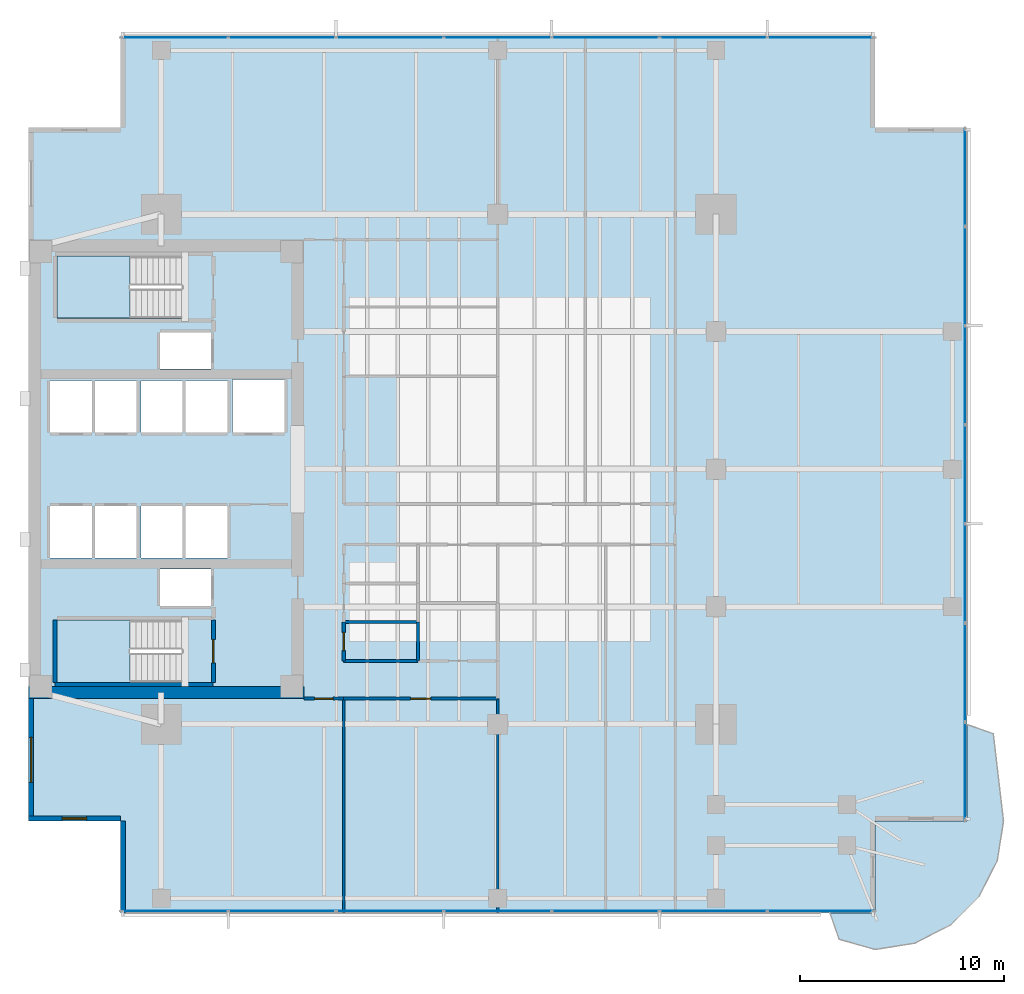
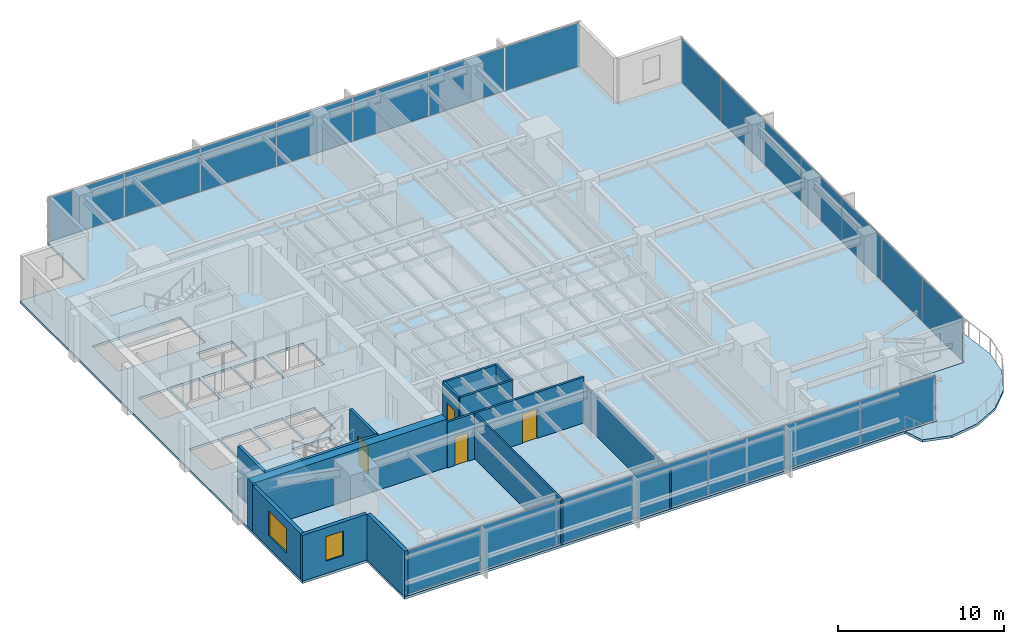
# One storey, part 7 of 14: 21 plates, 15 walls, 4 doors, 4 slabs, 2 windows, 6 openings, 5 elements without a shape of their own.
"""IFC4 building model written with IfcOpenShell, lengths in metres."""

from ifc_helpers import new_model, si_unit, direction, frame, frame_2d, origin, origin_2d, place, context, subcontext, project, spatial, polyline, rectangle, outline, extrude, material, layer, layer_set, type_object, element, fill, aggregate, save


model = new_model("IFC4")

# Units and contexts
model_context = context("Model", 3, precision=1e-05, world=origin(), true_north=direction((0.0, 1.0)))
body_context = subcontext(model_context, "Body", "Model", "MODEL_VIEW")
ifc_project = project(units=[si_unit("LENGTHUNIT", "METRE"), si_unit("AREAUNIT", "SQUARE_METRE"), si_unit("VOLUMEUNIT", "CUBIC_METRE"), si_unit("PLANEANGLEUNIT", "RADIAN"), si_unit("MASSUNIT", "GRAM", prefix="KILO")], contexts=[model_context])

# Site, building, storey
site_placement = place(None, origin())
site = spatial("IfcSite", under=ifc_project, at=site_placement, CompositionType="ELEMENT")
building_placement = place(site_placement, origin())
building = spatial("IfcBuilding", under=site, at=building_placement, Name="Kinhvarn Gate Tower", CompositionType="ELEMENT")
storey_placement = place(building_placement, frame((0.0, 0.0, 130.64990234375)))
storey = spatial("IfcBuildingStorey", under=building, at=storey_placement, Name="L34", CompositionType="ELEMENT", Elevation=130.64990234375)

# Curtain wall, plates
ifc_material_1 = material(Name="Anodised aluminium AW-6063", Category="aluminium")
ifc_layer_1 = layer(ifc_material_1, 0.179931640625)
ifc_layer_set_1 = layer_set([ifc_layer_1], Name="Anodised aluminium AW-6063")
curtain_wall_type = type_object("IfcCurtainWallType", Name="CW-SYS-3", PredefinedType="NOTDEFINED", material=ifc_layer_set_1)
curtain_wall_1_placement = place(storey_placement, origin())
curtain_wall_1 = element("IfcCurtainWall", 1, at=curtain_wall_1_placement, inside=storey, type_object=curtain_wall_type, Name="Curtain Wall CW3 (L34)", PredefinedType="NOTDEFINED")
ifc_material_2 = material(Name="Clear low-e double glazing", Category="glass")
ifc_layer_2 = layer(ifc_material_2, 0.031982421875)
ifc_layer_set_2 = layer_set([ifc_layer_2], Name="Clear low-e double glazing")
plate_type = type_object("IfcPlateType", Name="CW-PNL-VIS", PredefinedType="CURTAIN_PANEL", material=ifc_layer_set_2)
plate_1_placement = place(storey_placement, frame((11.6591796875, 3.590087890625, 0.070068359375), z_axis=(0.0, 0.0, 1.0), x_axis=(1.0, 0.0, 0.0)))
plate_1 = element("IfcPlate", 2, at=plate_1_placement, type_object=plate_type, Name="CW3 panel 1.1", PredefinedType="CURTAIN_PANEL", context=body_context, shape_type="SweptSolid", body=[
    extrude(rectangle(XDim=5.188232421875, YDim=0.031982421875, at=origin_2d()), origin(), (0.0, 0.0, 1.0), 3.22998046875),
])
plate_2_placement = place(storey_placement, frame((16.928466796875, 3.590087890625, 0.070068359375), z_axis=(0.0, 0.0, 1.0), x_axis=(1.0, 0.0, 0.0)))
plate_2 = element("IfcPlate", 3, at=plate_2_placement, type_object=plate_type, Name="CW3 panel 2.1", PredefinedType="CURTAIN_PANEL", context=body_context, shape_type="SweptSolid", body=[
    extrude(rectangle(XDim=5.220703125, YDim=0.031982421875, at=origin_2d()), origin(), (0.0, 0.0, 1.0), 3.22998046875),
])
plate_3_placement = place(storey_placement, frame((22.21435546875, 3.590087890625, 0.070068359375), z_axis=(0.0, 0.0, 1.0), x_axis=(1.0, 0.0, 0.0)))
plate_3 = element("IfcPlate", 4, at=plate_3_placement, type_object=plate_type, Name="CW3 panel 3.1", PredefinedType="CURTAIN_PANEL", context=body_context, shape_type="SweptSolid", body=[
    extrude(rectangle(XDim=5.220703125, YDim=0.031982421875, at=origin_2d()), origin(), (0.0, 0.0, 1.0), 3.22998046875),
])
plate_4_placement = place(storey_placement, frame((27.5, 3.590087890625, 0.070068359375), z_axis=(0.0, 0.0, 1.0), x_axis=(1.0, 0.0, 0.0)))
plate_4 = element("IfcPlate", 5, at=plate_4_placement, type_object=plate_type, Name="CW3 panel 4.1", PredefinedType="CURTAIN_PANEL", context=body_context, shape_type="SweptSolid", body=[
    extrude(rectangle(XDim=5.220703125, YDim=0.031982421875, at=origin_2d()), origin(), (0.0, 0.0, 1.0), 3.22998046875),
])
plate_5_placement = place(storey_placement, frame((32.78564453125, 3.590087890625, 0.070068359375), z_axis=(0.0, 0.0, 1.0), x_axis=(1.0, 0.0, 0.0)))
plate_5 = element("IfcPlate", 6, at=plate_5_placement, type_object=plate_type, Name="CW3 panel 5.1", PredefinedType="CURTAIN_PANEL", context=body_context, shape_type="SweptSolid", body=[
    extrude(rectangle(XDim=5.220703125, YDim=0.031982421875, at=origin_2d()), origin(), (0.0, 0.0, 1.0), 3.22998046875),
])
plate_6_placement = place(storey_placement, frame((38.071533203125, 3.590087890625, 0.070068359375), z_axis=(0.0, 0.0, 1.0), x_axis=(1.0, 0.0, 0.0)))
plate_6 = element("IfcPlate", 7, at=plate_6_placement, type_object=plate_type, Name="CW3 panel 6.1", PredefinedType="CURTAIN_PANEL", context=body_context, shape_type="SweptSolid", body=[
    extrude(rectangle(XDim=5.220703125, YDim=0.031982421875, at=origin_2d()), origin(), (0.0, 0.0, 1.0), 3.22998046875),
])
plate_7_placement = place(storey_placement, frame((43.3408203125, 3.590087890625, 0.070068359375), z_axis=(0.0, 0.0, 1.0), x_axis=(1.0, 0.0, 0.0)))
plate_7 = element("IfcPlate", 8, at=plate_7_placement, type_object=plate_type, Name="CW3 panel 7.1", PredefinedType="CURTAIN_PANEL", context=body_context, shape_type="SweptSolid", body=[
    extrude(rectangle(XDim=5.188232421875, YDim=0.031982421875, at=origin_2d()), origin(), (0.0, 0.0, 1.0), 3.22998046875),
])
aggregate(curtain_wall_1, [plate_1, plate_2, plate_3, plate_4, plate_5, plate_6, plate_7])

curtain_wall_2_placement = place(storey_placement, origin())
curtain_wall_2 = element("IfcCurtainWall", 9, at=curtain_wall_2_placement, inside=storey, type_object=curtain_wall_type, Name="Curtain Wall CW3 (L34)", PredefinedType="NOTDEFINED")
plate_8_placement = place(storey_placement, frame((43.3408203125, 46.409912109375, 0.070068359375), z_axis=(0.0, 0.0, 1.0), x_axis=(-1.0, 0.0, 0.0)))
plate_8 = element("IfcPlate", 10, at=plate_8_placement, type_object=plate_type, Name="CW3 panel 1.1", PredefinedType="CURTAIN_PANEL", context=body_context, shape_type="SweptSolid", body=[
    extrude(rectangle(XDim=5.188232421875, YDim=0.031982421875, at=origin_2d()), origin(), (0.0, 0.0, 1.0), 3.22998046875),
])
plate_9_placement = place(storey_placement, frame((38.071533203125, 46.409912109375, 0.070068359375), z_axis=(0.0, 0.0, 1.0), x_axis=(-1.0, 0.0, 0.0)))
plate_9 = element("IfcPlate", 11, at=plate_9_placement, type_object=plate_type, Name="CW3 panel 2.1", PredefinedType="CURTAIN_PANEL", context=body_context, shape_type="SweptSolid", body=[
    extrude(rectangle(XDim=5.220703125, YDim=0.031982421875, at=origin_2d()), origin(), (0.0, 0.0, 1.0), 3.22998046875),
])
plate_10_placement = place(storey_placement, frame((32.78564453125, 46.409912109375, 0.070068359375), z_axis=(0.0, 0.0, 1.0), x_axis=(-1.0, 0.0, 0.0)))
plate_10 = element("IfcPlate", 12, at=plate_10_placement, type_object=plate_type, Name="CW3 panel 3.1", PredefinedType="CURTAIN_PANEL", context=body_context, shape_type="SweptSolid", body=[
    extrude(rectangle(XDim=5.220703125, YDim=0.031982421875, at=origin_2d()), origin(), (0.0, 0.0, 1.0), 3.22998046875),
])
plate_11_placement = place(storey_placement, frame((27.5, 46.409912109375, 0.070068359375), z_axis=(0.0, 0.0, 1.0), x_axis=(-1.0, 0.0, 0.0)))
plate_11 = element("IfcPlate", 13, at=plate_11_placement, type_object=plate_type, Name="CW3 panel 4.1", PredefinedType="CURTAIN_PANEL", context=body_context, shape_type="SweptSolid", body=[
    extrude(rectangle(XDim=5.220703125, YDim=0.031982421875, at=origin_2d()), origin(), (0.0, 0.0, 1.0), 3.22998046875),
])
plate_12_placement = place(storey_placement, frame((22.21435546875, 46.409912109375, 0.070068359375), z_axis=(0.0, 0.0, 1.0), x_axis=(-1.0, 0.0, 0.0)))
plate_12 = element("IfcPlate", 14, at=plate_12_placement, type_object=plate_type, Name="CW3 panel 5.1", PredefinedType="CURTAIN_PANEL", context=body_context, shape_type="SweptSolid", body=[
    extrude(rectangle(XDim=5.220703125, YDim=0.031982421875, at=origin_2d()), origin(), (0.0, 0.0, 1.0), 3.22998046875),
])
plate_13_placement = place(storey_placement, frame((16.928466796875, 46.409912109375, 0.070068359375), z_axis=(0.0, 0.0, 1.0), x_axis=(-1.0, 0.0, 0.0)))
plate_13 = element("IfcPlate", 15, at=plate_13_placement, type_object=plate_type, Name="CW3 panel 6.1", PredefinedType="CURTAIN_PANEL", context=body_context, shape_type="SweptSolid", body=[
    extrude(rectangle(XDim=5.220703125, YDim=0.031982421875, at=origin_2d()), origin(), (0.0, 0.0, 1.0), 3.22998046875),
])
plate_14_placement = place(storey_placement, frame((11.6591796875, 46.409912109375, 0.070068359375), z_axis=(0.0, 0.0, 1.0), x_axis=(-1.0, 0.0, 0.0)))
plate_14 = element("IfcPlate", 16, at=plate_14_placement, type_object=plate_type, Name="CW3 panel 7.1", PredefinedType="CURTAIN_PANEL", context=body_context, shape_type="SweptSolid", body=[
    extrude(rectangle(XDim=5.188232421875, YDim=0.031982421875, at=origin_2d()), origin(), (0.0, 0.0, 1.0), 3.22998046875),
])
aggregate(curtain_wall_2, [plate_8, plate_9, plate_10, plate_11, plate_12, plate_13, plate_14])

curtain_wall_3_placement = place(storey_placement, origin())
curtain_wall_3 = element("IfcCurtainWall", 17, at=curtain_wall_3_placement, inside=storey, type_object=curtain_wall_type, Name="Curtain Wall CW3 (L34)", PredefinedType="NOTDEFINED")
plate_15_placement = place(storey_placement, frame((50.409912109375, 10.44482421875, 0.070068359375), z_axis=(0.0, 0.0, 1.0), x_axis=(0.0, 1.0, 0.0)))
plate_15 = element("IfcPlate", 18, at=plate_15_placement, type_object=plate_type, Name="CW3 panel 1.1", PredefinedType="CURTAIN_PANEL", context=body_context, shape_type="SweptSolid", body=[
    extrude(rectangle(XDim=4.759521484375, YDim=0.031982421875, at=origin_2d()), origin(), (0.0, 0.0, 1.0), 3.22998046875),
])
plate_16_placement = place(storey_placement, frame((50.409912109375, 15.28564453125, 0.070068359375), z_axis=(0.0, 0.0, 1.0), x_axis=(0.0, 1.0, 0.0)))
plate_16 = element("IfcPlate", 19, at=plate_16_placement, type_object=plate_type, Name="CW3 panel 2.1", PredefinedType="CURTAIN_PANEL", context=body_context, shape_type="SweptSolid", body=[
    extrude(rectangle(XDim=4.792236328125, YDim=0.031982421875, at=origin_2d()), origin(), (0.0, 0.0, 1.0), 3.22998046875),
])
plate_17_placement = place(storey_placement, frame((50.409912109375, 20.142822265625, 0.070068359375), z_axis=(0.0, 0.0, 1.0), x_axis=(0.0, 1.0, 0.0)))
plate_17 = element("IfcPlate", 20, at=plate_17_placement, type_object=plate_type, Name="CW3 panel 3.1", PredefinedType="CURTAIN_PANEL", context=body_context, shape_type="SweptSolid", body=[
    extrude(rectangle(XDim=4.792236328125, YDim=0.031982421875, at=origin_2d()), origin(), (0.0, 0.0, 1.0), 3.22998046875),
])
plate_18_placement = place(storey_placement, frame((50.409912109375, 25.0, 0.070068359375), z_axis=(0.0, 0.0, 1.0), x_axis=(0.0, 1.0, 0.0)))
plate_18 = element("IfcPlate", 21, at=plate_18_placement, type_object=plate_type, Name="CW3 panel 4.1", PredefinedType="CURTAIN_PANEL", context=body_context, shape_type="SweptSolid", body=[
    extrude(rectangle(XDim=4.792236328125, YDim=0.031982421875, at=origin_2d()), origin(), (0.0, 0.0, 1.0), 3.22998046875),
])
plate_19_placement = place(storey_placement, frame((50.409912109375, 29.857177734375, 0.070068359375), z_axis=(0.0, 0.0, 1.0), x_axis=(0.0, 1.0, 0.0)))
plate_19 = element("IfcPlate", 22, at=plate_19_placement, type_object=plate_type, Name="CW3 panel 5.1", PredefinedType="CURTAIN_PANEL", context=body_context, shape_type="SweptSolid", body=[
    extrude(rectangle(XDim=4.792236328125, YDim=0.031982421875, at=origin_2d()), origin(), (0.0, 0.0, 1.0), 3.22998046875),
])
plate_20_placement = place(storey_placement, frame((50.409912109375, 34.71435546875, 0.070068359375), z_axis=(0.0, 0.0, 1.0), x_axis=(0.0, 1.0, 0.0)))
plate_20 = element("IfcPlate", 23, at=plate_20_placement, type_object=plate_type, Name="CW3 panel 6.1", PredefinedType="CURTAIN_PANEL", context=body_context, shape_type="SweptSolid", body=[
    extrude(rectangle(XDim=4.792236328125, YDim=0.031982421875, at=origin_2d()), origin(), (0.0, 0.0, 1.0), 3.22998046875),
])
plate_21_placement = place(storey_placement, frame((50.409912109375, 39.55517578125, 0.070068359375), z_axis=(0.0, 0.0, 1.0), x_axis=(0.0, 1.0, 0.0)))
plate_21 = element("IfcPlate", 24, at=plate_21_placement, type_object=plate_type, Name="CW3 panel 7.1", PredefinedType="CURTAIN_PANEL", context=body_context, shape_type="SweptSolid", body=[
    extrude(rectangle(XDim=4.759521484375, YDim=0.031982421875, at=origin_2d()), origin(), (0.0, 0.0, 1.0), 3.22998046875),
])
aggregate(curtain_wall_3, [plate_15, plate_16, plate_17, plate_18, plate_19, plate_20, plate_21])

# Slabs
ifc_material_3 = material(Name="Precast white architectural concrete C40/50", Category="concrete")
ifc_layer_3 = layer(ifc_material_3, 0.179931640625)
ifc_layer_set_3 = layer_set([ifc_layer_3], Name="Precast white architectural concrete C40/50")
slab_type_1 = type_object("IfcSlabType", Name="SLB-BAL-180", PredefinedType="FLOOR", material=ifc_layer_set_3)
slab_1_placement = place(storey_placement, frame((0.0, 0.0, -0.179931640625)))
element("IfcSlab", 25, at=slab_1_placement, inside=storey, type_object=slab_type_1, Name="S-Carve Curved Terrace Balcony Slab L34 (SE)", PredefinedType="FLOOR", context=body_context, shape_type="SweptSolid", body=[
    extrude(outline(polyline([(43.782958984375, 3.5), (44.23291015625, 2.20751953125), (46.0, 1.705078125), (47.9453125, 2.01318359375), (49.7001953125, 2.9072265625), (51.0927734375, 4.2998046875), (51.98681640625, 6.0546875), (52.294921875, 8.0), (51.79248046875, 12.282958984375), (50.5, 12.73291015625), (50.5, 8.0), (46.0, 8.0), (46.0, 3.5), (43.782958984375, 3.5)])), origin(), (0.0, 0.0, 1.0), 0.179931640625),
])
ifc_material_4 = material(Name="Concrete C40/50", Category="concrete")
ifc_layer_4 = layer(ifc_material_4, 0.179931640625)
ifc_layer_set_4 = layer_set([ifc_layer_4], Name="Concrete C40/50")
slab_type_2 = type_object("IfcSlabType", Name="SLB-FLR-180", PredefinedType="FLOOR", material=ifc_layer_set_4)
slab_2_placement = place(storey_placement, frame((0.0, 0.0, -0.179931640625)))
element("IfcSlab", 26, at=slab_2_placement, inside=storey, type_object=slab_type_2, Name="Suspended Floor Slab L34", PredefinedType="FLOOR", context=body_context, shape_type="SweptSolid", body=[
    extrude(outline(polyline([(9.0, 3.5), (46.0, 3.5), (46.0, 8.0), (50.5, 8.0), (50.5, 42.0), (46.0, 42.0), (46.0, 46.5), (9.0, 46.5), (9.0, 42.0), (4.5, 42.0), (4.5, 8.0), (9.0, 8.0), (9.0, 3.5)]), holes=[polyline([(5.89990234375, 14.800048828125), (12.0, 14.800048828125), (12.0, 17.85009765625), (5.89990234375, 17.85009765625), (5.89990234375, 14.800048828125)]), polyline([(5.89990234375, 32.64990234375), (12.0, 32.64990234375), (12.0, 35.699951171875), (5.89990234375, 35.699951171875), (5.89990234375, 32.64990234375)]), polyline([(5.550048828125, 20.89990234375), (7.60009765625, 20.89990234375), (7.60009765625, 23.449951171875), (5.550048828125, 23.449951171875), (5.550048828125, 20.89990234375)]), polyline([(7.75, 20.89990234375), (9.800048828125, 20.89990234375), (9.800048828125, 23.449951171875), (7.75, 23.449951171875), (7.75, 20.89990234375)]), polyline([(5.550048828125, 27.050048828125), (7.60009765625, 27.050048828125), (7.60009765625, 29.60009765625), (5.550048828125, 29.60009765625), (5.550048828125, 27.050048828125)]), polyline([(7.75, 27.050048828125), (9.800048828125, 27.050048828125), (9.800048828125, 29.60009765625), (7.75, 29.60009765625), (7.75, 27.050048828125)]), polyline([(10.0, 20.89990234375), (12.050048828125, 20.89990234375), (12.050048828125, 23.449951171875), (10.0, 23.449951171875), (10.0, 20.89990234375)]), polyline([(12.199951171875, 20.89990234375), (14.25, 20.89990234375), (14.25, 23.449951171875), (12.199951171875, 23.449951171875), (12.199951171875, 20.89990234375)]), polyline([(10.0, 27.050048828125), (12.050048828125, 27.050048828125), (12.050048828125, 29.60009765625), (10.0, 29.60009765625), (10.0, 27.050048828125)]), polyline([(12.199951171875, 27.050048828125), (14.25, 27.050048828125), (14.25, 29.60009765625), (12.199951171875, 29.60009765625), (12.199951171875, 27.050048828125)]), polyline([(14.5, 27.050048828125), (17.050048828125, 27.050048828125), (17.050048828125, 29.64990234375), (14.5, 29.64990234375), (14.5, 27.050048828125)]), polyline([(10.949951171875, 18.550048828125), (13.449951171875, 18.550048828125), (13.449951171875, 20.35009765625), (10.949951171875, 20.35009765625), (10.949951171875, 18.550048828125)]), polyline([(10.949951171875, 30.14990234375), (13.449951171875, 30.14990234375), (13.449951171875, 31.949951171875), (10.949951171875, 31.949951171875), (10.949951171875, 30.14990234375)])]), origin(), (0.0, 0.0, 1.0), 0.179931640625),
])

# Stair, slab
stair_type = type_object("IfcStairType", Name="STR-DLG-177", PredefinedType="HALF_TURN_STAIR", material=ifc_material_4)
stair_1_placement = place(storey_placement, origin())
stair_1 = element("IfcStair", 27, at=stair_1_placement, inside=storey, type_object=stair_type, Name="L34 Core Smokeproof Exit Stair ST1", PredefinedType="HALF_TURN_STAIR")
ifc_layer_5 = layer(ifc_material_4, 0.199951171875)
ifc_layer_set_5 = layer_set([ifc_layer_5], Name="Concrete C40/50")
slab_type_3 = type_object("IfcSlabType", Name="SLB-ST-LND", PredefinedType="LANDING", material=ifc_layer_set_5)
slab_3_placement = place(storey_placement, frame((0.0, 0.0, 1.5751953125)))
slab_3 = element("IfcSlab", 28, at=slab_3_placement, type_object=slab_type_3, Name="ST1 landing 1", PredefinedType="LANDING", context=body_context, shape_type="SweptSolid", body=[
    extrude(outline(polyline([(9.47998046875, 17.85009765625), (5.89990234375, 17.85009765625), (5.89990234375, 14.800048828125), (9.47998046875, 14.800048828125), (9.47998046875, 17.85009765625)])), origin(), (0.0, 0.0, 1.0), 0.199951171875),
])
aggregate(stair_1, [slab_3])

stair_2_placement = place(storey_placement, origin())
stair_2 = element("IfcStair", 29, at=stair_2_placement, inside=storey, type_object=stair_type, Name="L34 Core Smokeproof Exit Stair ST2", PredefinedType="HALF_TURN_STAIR")
slab_4_placement = place(storey_placement, frame((0.0, 0.0, 1.5751953125)))
slab_4 = element("IfcSlab", 30, at=slab_4_placement, type_object=slab_type_3, Name="ST2 landing 1", PredefinedType="LANDING", context=body_context, shape_type="SweptSolid", body=[
    extrude(outline(polyline([(9.47998046875, 35.699951171875), (5.89990234375, 35.699951171875), (5.89990234375, 32.64990234375), (9.47998046875, 32.64990234375), (9.47998046875, 35.699951171875)])), origin(), (0.0, 0.0, 1.0), 0.199951171875),
])
aggregate(stair_2, [slab_4])

# Wall
ifc_material_5 = material(Name="Concrete C60/75", Category="concrete")
ifc_layer_6 = layer(ifc_material_5, 0.60009765625)
ifc_layer_set_6 = layer_set([ifc_layer_6], Name="Concrete C60/75")
wall_type_1 = type_object("IfcWallType", Name="WL-CORE-600", PredefinedType="SHEAR", material=ifc_layer_set_6)
wall_1_placement = place(storey_placement, frame((4.5, 14.300048828125, 0.0), z_axis=(0.0, 0.0, 1.0), x_axis=(1.0, 0.0, 0.0)))
element("IfcWall", 31, at=wall_1_placement, inside=storey, type_object=wall_type_1, Name="Core South Shear Wall L34 600 mm", PredefinedType="SHEAR", context=body_context, shape_type="SweptSolid", body=[
    extrude(rectangle(XDim=13.5, YDim=0.60009765625, at=frame_2d((6.75, 0.0))), origin(), (0.0, 0.0, 1.0), 3.550048828125),
])

# Wall, opening, window
ifc_material_6 = material(Name="Fired architectural terracotta", Category="masonry")
ifc_layer_7 = layer(ifc_material_6, 0.25)
ifc_layer_set_7 = layer_set([ifc_layer_7], Name="Fired architectural terracotta")
wall_type_2 = type_object("IfcWallType", Name="WL-EXT-250", PredefinedType="SOLIDWALL", material=ifc_layer_set_7)
wall_2_placement = place(storey_placement, frame((4.625, 14.0, 0.0), z_axis=(0.0, 0.0, 1.0), x_axis=(0.0, -1.0, 0.0)))
wall_2 = element("IfcWall", 32, at=wall_2_placement, inside=storey, type_object=wall_type_2, Name="Exterior Solidwall Wall EW-250 (L34 West-South)", PredefinedType="SOLIDWALL", context=body_context, shape_type="SweptSolid", body=[
    extrude(rectangle(XDim=6.0, YDim=0.25, at=frame_2d((3.0, 0.0))), origin(), (0.0, 0.0, 1.0), 3.3701171875),
])
opening_1_placement = place(wall_2_placement, frame((1.89990234375, 0.0, 0.89990234375)))
opening_1 = element("IfcOpeningElement", 33, at=opening_1_placement, cuts=wall_2, Name="Opening WN-01", PredefinedType="OPENING", context=body_context, shape_type="SweptSolid", body=[
    extrude(rectangle(XDim=2.199951171875, YDim=1.800048828125, at=frame_2d((1.10009765625, 0.89990234375))), frame((0.0, 0.135009765625, 0.0), z_axis=(0.0, -1.0, 0.0), x_axis=(1.0, 0.0, 0.0)), (0.0, 0.0, 1.0), 0.27001953125),
])
window_type_1 = type_object("IfcWindowType", Name="WIN-RIB-2200", PartitioningType="SINGLE_PANEL", PredefinedType="WINDOW", material=ifc_material_2)
window_1_placement = place(opening_1_placement, origin())
window_1 = element("IfcWindow", 34, at=window_1_placement, inside=storey, type_object=window_type_1, Name="West Flank Double-Glazed Ribbon Window 2200x1800 mm (L34)", OverallHeight=1.800048828125, OverallWidth=2.199951171875, PartitioningType="SINGLE_PANEL", PredefinedType="WINDOW", context=body_context, shape_type="SweptSolid", body=[
    extrude(rectangle(XDim=2.199951171875, YDim=1.800048828125, at=frame_2d((1.10009765625, 0.89990234375))), frame((0.0, 0.030029296875, 0.0), z_axis=(0.0, -1.0, 0.0), x_axis=(1.0, 0.0, 0.0)), (0.0, 0.0, 1.0), 0.06005859375),
])
fill(opening_1, window_1)

wall_3_placement = place(storey_placement, frame((4.5, 8.125, 0.0), z_axis=(0.0, 0.0, 1.0), x_axis=(1.0, 0.0, 0.0)))
wall_3 = element("IfcWall", 35, at=wall_3_placement, inside=storey, type_object=wall_type_2, Name="Exterior Solidwall Wall EW-250 (L34 SW-Notch-1)", PredefinedType="SOLIDWALL", context=body_context, shape_type="SweptSolid", body=[
    extrude(rectangle(XDim=4.5, YDim=0.25, at=frame_2d((2.25, 0.0))), origin(), (0.0, 0.0, 1.0), 3.3701171875),
])
opening_2_placement = place(wall_3_placement, frame((1.64990234375, 0.0, 0.89990234375)))
opening_2 = element("IfcOpeningElement", 36, at=opening_2_placement, cuts=wall_3, Name="Opening WN-02", PredefinedType="OPENING", context=body_context, shape_type="SweptSolid", body=[
    extrude(rectangle(XDim=1.199951171875, YDim=1.800048828125, at=frame_2d((0.60009765625, 0.89990234375))), frame((0.0, 0.135009765625, 0.0), z_axis=(0.0, -1.0, 0.0), x_axis=(1.0, 0.0, 0.0)), (0.0, 0.0, 1.0), 0.27001953125),
])
window_type_2 = type_object("IfcWindowType", Name="WIN-NTC-1200", PartitioningType="SINGLE_PANEL", PredefinedType="WINDOW", material=ifc_material_2)
window_2_placement = place(opening_2_placement, origin())
window_2 = element("IfcWindow", 37, at=window_2_placement, inside=storey, type_object=window_type_2, Name="Recessed Corner Notch Punched Window 1200x1800 mm (L34)", OverallHeight=1.800048828125, OverallWidth=1.199951171875, PartitioningType="SINGLE_PANEL", PredefinedType="WINDOW", context=body_context, shape_type="SweptSolid", body=[
    extrude(rectangle(XDim=1.199951171875, YDim=1.800048828125, at=frame_2d((0.60009765625, 0.89990234375))), frame((0.0, 0.030029296875, 0.0), z_axis=(0.0, -1.0, 0.0), x_axis=(1.0, 0.0, 0.0)), (0.0, 0.0, 1.0), 0.06005859375),
])
fill(opening_2, window_2)

# Walls
wall_4_placement = place(storey_placement, frame((9.125, 8.0, 0.0), z_axis=(0.0, 0.0, 1.0), x_axis=(0.0, -1.0, 0.0)))
element("IfcWall", 38, at=wall_4_placement, inside=storey, type_object=wall_type_2, Name="Exterior Solidwall Wall EW-250 (L34 SW-Notch-2)", PredefinedType="SOLIDWALL", context=body_context, shape_type="SweptSolid", body=[
    extrude(rectangle(XDim=4.5, YDim=0.25, at=frame_2d((2.25, 0.0))), origin(), (0.0, 0.0, 1.0), 3.3701171875),
])
ifc_material_7 = material(Name="Gypsum acoustic partition board")
ifc_layer_8 = layer(ifc_material_7, 0.14990234375)
ifc_layer_set_8 = layer_set([ifc_layer_8], Name="Gypsum acoustic partition board")
wall_type_3 = type_object("IfcWallType", Name="WL-PLM-150", PredefinedType="PLUMBINGWALL", material=ifc_layer_set_8)
wall_5_placement = place(storey_placement, frame((19.949951171875, 17.75, 0.0), z_axis=(0.0, 0.0, 1.0), x_axis=(1.0, 0.0, 0.0)))
element("IfcWall", 39, at=wall_5_placement, inside=storey, type_object=wall_type_3, Name="Interior Partition PLW-150 (L34)", PredefinedType="PLUMBINGWALL", context=body_context, shape_type="SweptSolid", body=[
    extrude(rectangle(XDim=3.650146484375, YDim=0.14990234375, at=frame_2d((1.8251953125, 0.0))), origin(), (0.0, 0.0, 1.0), 3.3701171875),
])
wall_6_placement = place(storey_placement, frame((23.60009765625, 15.85009765625, 0.0), z_axis=(0.0, 0.0, 1.0), x_axis=(0.0, 1.0, 0.0)))
element("IfcWall", 40, at=wall_6_placement, inside=storey, type_object=wall_type_3, Name="Interior Partition PLW-150 (L34)", PredefinedType="PLUMBINGWALL", context=body_context, shape_type="SweptSolid", body=[
    extrude(rectangle(XDim=1.89990234375, YDim=0.14990234375, at=frame_2d((0.949951171875, 0.0))), origin(), (0.0, 0.0, 1.0), 3.3701171875),
])

# Wall, opening, door
ifc_layer_9 = layer(ifc_material_7, 0.14990234375)
ifc_layer_set_9 = layer_set([ifc_layer_9], Name="Gypsum acoustic partition board")
wall_type_4 = type_object("IfcWallType", Name="WL-PLM-150F", PredefinedType="PLUMBINGWALL", material=ifc_layer_set_9)
wall_7_placement = place(storey_placement, frame((19.949951171875, 15.85009765625, 0.0), z_axis=(0.0, 0.0, 1.0), x_axis=(0.0, 1.0, 0.0)))
wall_7 = element("IfcWall", 41, at=wall_7_placement, inside=storey, type_object=wall_type_4, Name="Interior Partition PLW-150F (L34)", PredefinedType="PLUMBINGWALL", context=body_context, shape_type="SweptSolid", body=[
    extrude(rectangle(XDim=1.89990234375, YDim=0.14990234375, at=frame_2d((0.949951171875, 0.0))), origin(), (0.0, 0.0, 1.0), 3.3701171875),
])
opening_3_placement = place(wall_7_placement, frame((0.5, 0.0, 0.0)))
opening_3 = element("IfcOpeningElement", 42, at=opening_3_placement, cuts=wall_7, Name="Opening FD-04", PredefinedType="OPENING", context=body_context, shape_type="SweptSolid", body=[
    extrude(rectangle(XDim=0.89990234375, YDim=2.10009765625, at=frame_2d((0.449951171875, 1.050048828125))), frame((0.0, 0.0849609375, 0.0), z_axis=(0.0, -1.0, 0.0), x_axis=(1.0, 0.0, 0.0)), (0.0, 0.0, 1.0), 0.169921875),
])
door_type_1 = type_object("IfcDoorType", Name="DR-FD-900", OperationType="NOTDEFINED", PredefinedType="DOOR", material=ifc_material_1)
door_1_placement = place(opening_3_placement, origin())
door_1 = element("IfcDoor", 43, at=door_1_placement, inside=storey, type_object=door_type_1, Name="Rated Riser & Service Closet Fire Door 900x2100 mm (L34)", OperationType="SINGLE_SWING_LEFT", OverallHeight=2.10009765625, OverallWidth=0.89990234375, PredefinedType="DOOR", context=body_context, shape_type="SweptSolid", body=[
    extrude(rectangle(XDim=0.89990234375, YDim=2.10009765625, at=frame_2d((0.449951171875, 1.050048828125))), frame((0.0, 0.02490234375, 0.0), z_axis=(0.0, -1.0, 0.0), x_axis=(1.0, 0.0, 0.0)), (0.0, 0.0, 1.0), 0.050048828125),
])
fill(opening_3, door_1)

# Walls
wall_8_placement = place(storey_placement, frame((19.949951171875, 15.85009765625, 0.0), z_axis=(0.0, 0.0, 1.0), x_axis=(1.0, 0.0, 0.0)))
element("IfcWall", 44, at=wall_8_placement, inside=storey, type_object=wall_type_4, Name="Interior Partition PLW-150F (L34)", PredefinedType="PLUMBINGWALL", context=body_context, shape_type="SweptSolid", body=[
    extrude(rectangle(XDim=3.650146484375, YDim=0.14990234375, at=frame_2d((1.8251953125, 0.0))), origin(), (0.0, 0.0, 1.0), 3.3701171875),
])
ifc_layer_10 = layer(ifc_material_7, 0.1201171875)
ifc_layer_set_10 = layer_set([ifc_layer_10], Name="Gypsum acoustic partition board")
wall_type_5 = type_object("IfcWallType", Name="WL-PRT-120", PredefinedType="PARTITIONING", material=ifc_layer_set_10)
wall_9_placement = place(storey_placement, frame((19.949951171875, 3.510009765625, 0.0), z_axis=(0.0, 0.0, 1.0), x_axis=(0.0, 1.0, 0.0)))
element("IfcWall", 45, at=wall_9_placement, inside=storey, type_object=wall_type_5, Name="Interior Partition PW-120 (L34)", PredefinedType="PARTITIONING", context=body_context, shape_type="SweptSolid", body=[
    extrude(rectangle(XDim=10.489990234375, YDim=0.1201171875, at=frame_2d((5.2451171875, 0.0))), origin(), (0.0, 0.0, 1.0), 3.3701171875),
])
wall_10_placement = place(storey_placement, frame((27.5, 3.510009765625, 0.0), z_axis=(0.0, 0.0, 1.0), x_axis=(0.0, 1.0, 0.0)))
element("IfcWall", 46, at=wall_10_placement, inside=storey, type_object=wall_type_5, Name="Interior Partition PW-120 (L34)", PredefinedType="PARTITIONING", context=body_context, shape_type="SweptSolid", body=[
    extrude(rectangle(XDim=10.489990234375, YDim=0.1201171875, at=frame_2d((5.2451171875, 0.0))), origin(), (0.0, 0.0, 1.0), 2.8701171875),
])

# Wall, opening, door
ifc_layer_11 = layer(ifc_material_7, 0.14990234375)
ifc_layer_set_11 = layer_set([ifc_layer_11], Name="Gypsum acoustic partition board")
wall_type_6 = type_object("IfcWallType", Name="WL-PRT-150F", PredefinedType="PARTITIONING", material=ifc_layer_set_11)
wall_11_placement = place(storey_placement, frame((18.0, 14.0, 0.0), z_axis=(0.0, 0.0, 1.0), x_axis=(1.0, 0.0, 0.0)))
wall_11 = element("IfcWall", 47, at=wall_11_placement, inside=storey, type_object=wall_type_6, Name="Interior Partition PW-150F (L34)", PredefinedType="PARTITIONING", context=body_context, shape_type="SweptSolid", body=[
    extrude(rectangle(XDim=1.949951171875, YDim=0.14990234375, at=frame_2d((0.97509765625, 0.0))), origin(), (0.0, 0.0, 1.0), 3.3701171875),
])
opening_4_placement = place(wall_11_placement, frame((0.52490234375, 0.0, 0.0)))
opening_4 = element("IfcOpeningElement", 48, at=opening_4_placement, cuts=wall_11, Name="Opening ID-03", PredefinedType="OPENING", context=body_context, shape_type="SweptSolid", body=[
    extrude(rectangle(XDim=0.89990234375, YDim=2.10009765625, at=frame_2d((0.449951171875, 1.050048828125))), frame((0.0, 0.0849609375, 0.0), z_axis=(0.0, -1.0, 0.0), x_axis=(1.0, 0.0, 0.0)), (0.0, 0.0, 1.0), 0.169921875),
])
door_type_2 = type_object("IfcDoorType", Name="DR-INT-900", OperationType="NOTDEFINED", PredefinedType="DOOR", material=ifc_material_1)
door_2_placement = place(opening_4_placement, origin())
door_2 = element("IfcDoor", 49, at=door_2_placement, inside=storey, type_object=door_type_2, Name="Cellular Office & Restroom Door 900x2100 mm (L34)", OperationType="SINGLE_SWING_LEFT", OverallHeight=2.10009765625, OverallWidth=0.89990234375, PredefinedType="DOOR", context=body_context, shape_type="SweptSolid", body=[
    extrude(rectangle(XDim=0.89990234375, YDim=2.10009765625, at=frame_2d((0.449951171875, 1.050048828125))), frame((0.0, 0.02490234375, 0.0), z_axis=(0.0, -1.0, 0.0), x_axis=(1.0, 0.0, 0.0)), (0.0, 0.0, 1.0), 0.050048828125),
])
fill(opening_4, door_2)

wall_12_placement = place(storey_placement, frame((19.949951171875, 14.0, 0.0), z_axis=(0.0, 0.0, 1.0), x_axis=(1.0, 0.0, 0.0)))
wall_12 = element("IfcWall", 50, at=wall_12_placement, inside=storey, type_object=wall_type_6, Name="Interior Partition PW-150F (L34)", PredefinedType="PARTITIONING", context=body_context, shape_type="SweptSolid", body=[
    extrude(rectangle(XDim=7.550048828125, YDim=0.14990234375, at=frame_2d((3.77490234375, 0.0))), origin(), (0.0, 0.0, 1.0), 3.3701171875),
])
opening_5_placement = place(wall_12_placement, frame((3.27490234375, 0.0, 0.0)))
opening_5 = element("IfcOpeningElement", 51, at=opening_5_placement, cuts=wall_12, Name="Opening ID-02", PredefinedType="OPENING", context=body_context, shape_type="SweptSolid", body=[
    extrude(rectangle(XDim=1.0, YDim=2.14990234375, at=frame_2d((0.5, 1.074951171875))), frame((0.0, 0.0849609375, 0.0), z_axis=(0.0, -1.0, 0.0), x_axis=(1.0, 0.0, 0.0)), (0.0, 0.0, 1.0), 0.169921875),
])
door_type_3 = type_object("IfcDoorType", Name="DR-INT-1000", OperationType="NOTDEFINED", PredefinedType="DOOR", material=ifc_material_1)
door_3_placement = place(opening_5_placement, origin())
door_3 = element("IfcDoor", 52, at=door_3_placement, inside=storey, type_object=door_type_3, Name="Standard Office & Meeting Room Door 1000x2150 mm (L34)", OperationType="SINGLE_SWING_RIGHT", OverallHeight=2.14990234375, OverallWidth=1.0, PredefinedType="DOOR", context=body_context, shape_type="SweptSolid", body=[
    extrude(rectangle(XDim=1.0, YDim=2.14990234375, at=frame_2d((0.5, 1.074951171875))), frame((0.0, 0.02490234375, 0.0), z_axis=(0.0, -1.0, 0.0), x_axis=(1.0, 0.0, 0.0)), (0.0, 0.0, 1.0), 0.050048828125),
])
fill(opening_5, door_3)

# Walls
ifc_layer_12 = layer(ifc_material_4, 0.199951171875)
ifc_layer_set_12 = layer_set([ifc_layer_12], Name="Concrete C40/50")
wall_type_7 = type_object("IfcWallType", Name="WL-SHF-200", PredefinedType="SOLIDWALL", material=ifc_layer_set_12)
wall_13_placement = place(storey_placement, frame((5.800048828125, 14.699951171875, 0.0), z_axis=(0.0, 0.0, 1.0), x_axis=(1.0, 0.0, 0.0)))
element("IfcWall", 53, at=wall_13_placement, inside=storey, type_object=wall_type_7, Name="Stair ST1 South Shaft Wall (L34)", PredefinedType="SOLIDWALL", context=body_context, shape_type="SweptSolid", body=[
    extrude(rectangle(XDim=7.75, YDim=0.199951171875, at=frame_2d((3.875, 0.0))), origin(), (0.0, 0.0, 1.0), 3.550048828125),
])
wall_14_placement = place(storey_placement, frame((5.7900390625, 14.800048828125, 0.0), z_axis=(0.0, 0.0, 1.0), x_axis=(0.0, 1.0, 0.0)))
element("IfcWall", 54, at=wall_14_placement, inside=storey, type_object=wall_type_7, Name="Stair ST1 West Shaft Wall (L34)", PredefinedType="SOLIDWALL", context=body_context, shape_type="SweptSolid", body=[
    extrude(rectangle(XDim=3.050048828125, YDim=0.199951171875, at=frame_2d((1.52490234375, 0.0))), origin(), (0.0, 0.0, 1.0), 3.550048828125),
])

# Wall, opening, door
wall_15_placement = place(storey_placement, frame((13.56005859375, 14.800048828125, 0.0), z_axis=(0.0, 0.0, 1.0), x_axis=(0.0, 1.0, 0.0)))
wall_15 = element("IfcWall", 55, at=wall_15_placement, inside=storey, type_object=wall_type_7, Name="Stair ST1 East Entry Wall (L34)", PredefinedType="SOLIDWALL", context=body_context, shape_type="SweptSolid", body=[
    extrude(rectangle(XDim=3.050048828125, YDim=0.199951171875, at=frame_2d((1.52490234375, 0.0))), origin(), (0.0, 0.0, 1.0), 3.550048828125),
])
opening_6_placement = place(wall_15_placement, frame((0.949951171875, 0.0, 0.0)))
opening_6 = element("IfcOpeningElement", 56, at=opening_6_placement, cuts=wall_15, Name="Opening FD-01", PredefinedType="OPENING", context=body_context, shape_type="SweptSolid", body=[
    extrude(rectangle(XDim=1.14990234375, YDim=2.14990234375, at=frame_2d((0.574951171875, 1.074951171875))), frame((0.0, 0.10986328125, 0.0), z_axis=(0.0, -1.0, 0.0), x_axis=(1.0, 0.0, 0.0)), (0.0, 0.0, 1.0), 0.219970703125),
])
door_type_4 = type_object("IfcDoorType", Name="DR-ST-1150", OperationType="NOTDEFINED", PredefinedType="DOOR", material=ifc_material_1)
door_4_placement = place(opening_6_placement, origin())
door_4 = element("IfcDoor", 57, at=door_4_placement, inside=storey, type_object=door_type_4, Name="Exit Stair ST1 Fire Door (L34)", OperationType="SINGLE_SWING_RIGHT", OverallHeight=2.14990234375, OverallWidth=1.14990234375, PredefinedType="DOOR", context=body_context, shape_type="SweptSolid", body=[
    extrude(rectangle(XDim=1.14990234375, YDim=2.14990234375, at=frame_2d((0.574951171875, 1.074951171875))), frame((0.0, 0.02490234375, 0.0), z_axis=(0.0, -1.0, 0.0), x_axis=(1.0, 0.0, 0.0)), (0.0, 0.0, 1.0), 0.050048828125),
])
fill(opening_6, door_4)

save(model, "model.ifc")
